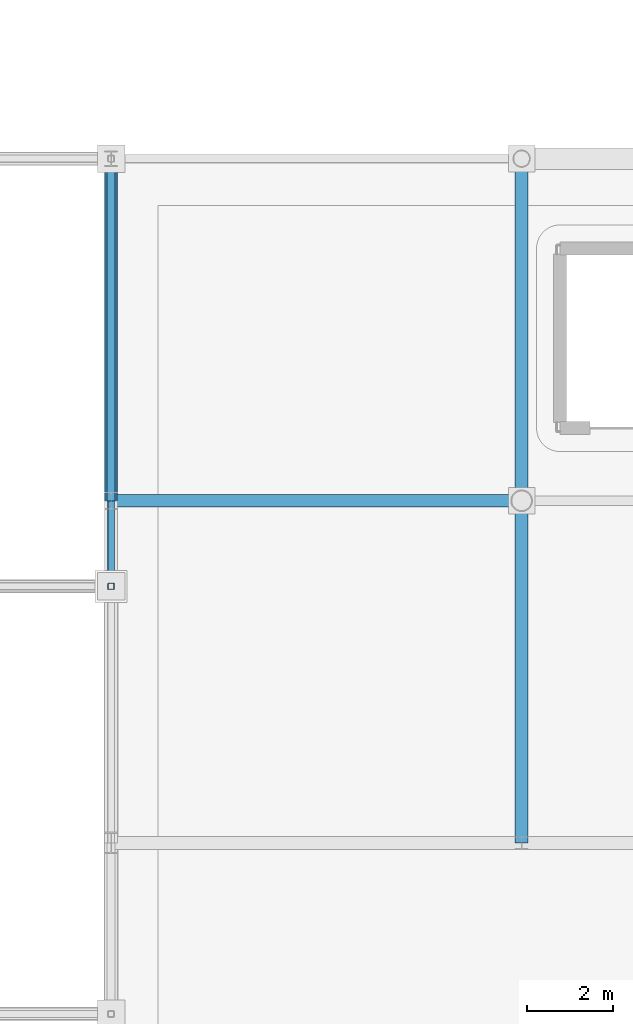
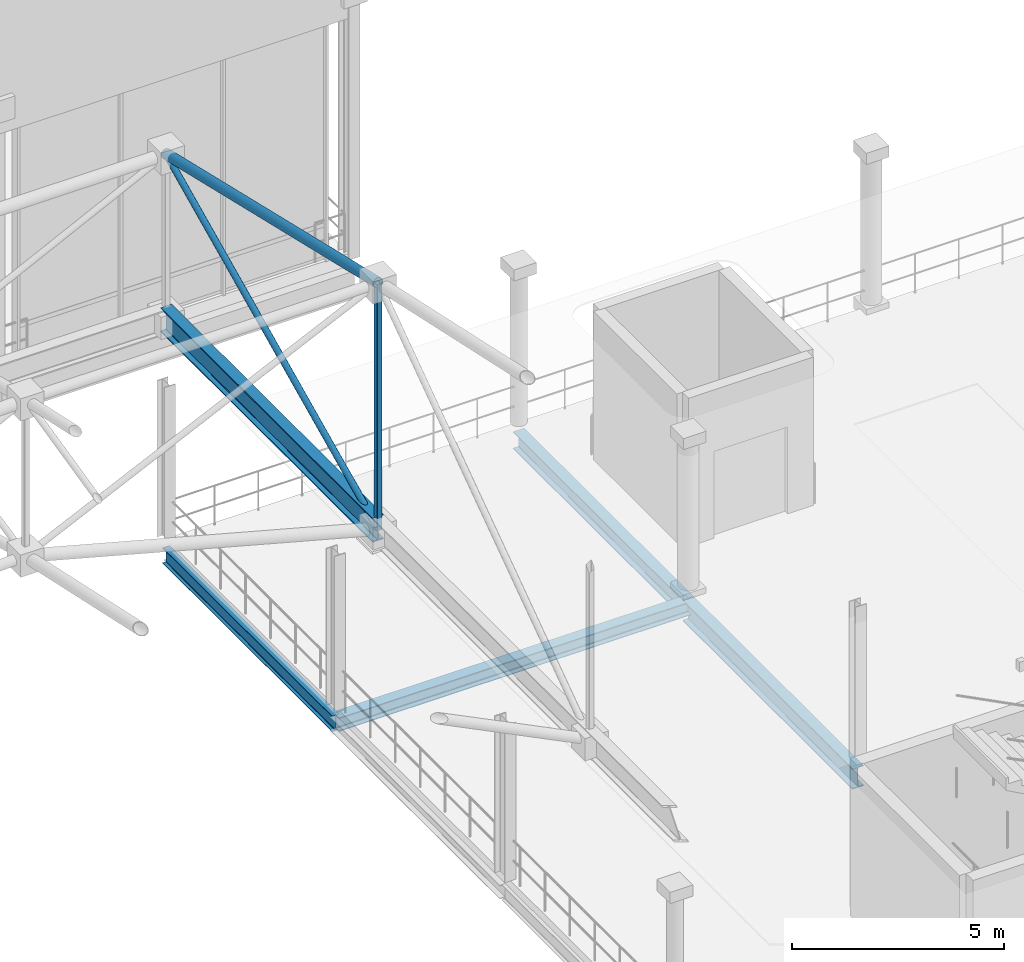
# One storey, part 113 of 193: 5 beams, 3 members.
"""IFC4 building model written with IfcOpenShell, lengths in metres."""

from ifc_helpers import new_model, si_unit, direction, frame, origin, origin_2d, place, context, subcontext, project, spatial, hollow_rectangle, hollow_circle, i_section, extrude, material, material_profile, profile_set, type_object, element, save


model = new_model("IFC4")

# Units and contexts
model_context = context("Model", 3, precision=1e-05, world=origin(), true_north=direction((0.0, 1.0)))
body_context = subcontext(model_context, "Body", "Model", "MODEL_VIEW")
ifc_project = project(units=[si_unit("LENGTHUNIT", "METRE"), si_unit("AREAUNIT", "SQUARE_METRE"), si_unit("VOLUMEUNIT", "CUBIC_METRE"), si_unit("PLANEANGLEUNIT", "RADIAN"), si_unit("MASSUNIT", "GRAM", prefix="KILO")], contexts=[model_context])

# Site, building, storey
site_placement = place(None, origin())
site = spatial("IfcSite", under=ifc_project, at=site_placement, CompositionType="ELEMENT")
building_placement = place(site_placement, origin())
building = spatial("IfcBuilding", under=site, at=building_placement, Name="Danafjord Basin Convention Centre", CompositionType="ELEMENT")
storey_placement = place(building_placement, frame((0.0, 0.0, 11.39990234375)))
storey = spatial("IfcBuildingStorey", under=building, at=storey_placement, Name="L02", CompositionType="ELEMENT", Elevation=11.39990234375)

# Beams
ifc_material = material(Name="Steel S355", Category="steel")
ifc_material_profile_1 = material_profile(ifc_material, i_section(OverallWidth=0.300048828125, OverallDepth=0.389892578125, WebThickness=0.010986328125, FlangeThickness=0.01904296875, FilletRadius=0.027099609375, at=origin_2d()), Name="HEA 400")
ifc_profile_set_1 = profile_set([ifc_material_profile_1], Name="Steel S355")
beam_type_1 = type_object("IfcBeamType", Name="BEAM-BM-HEA400", PredefinedType="BEAM", material=ifc_profile_set_1)
beam_1_placement = place(storey_placement, frame((192.0, 72.0, -0.4248046875), z_axis=(1.0, 0.0, 0.0), x_axis=(0.0, 1.0, 0.0)))
element("IfcBeam", 1, at=beam_1_placement, inside=storey, type_object=beam_type_1, Name="L02 girder BM-HEA400", PredefinedType="BEAM", context=body_context, shape_type="SweptSolid", body=[
    extrude(i_section(OverallWidth=0.300048828125, OverallDepth=0.389892578125, WebThickness=0.010986328125, FlangeThickness=0.01904296875, FilletRadius=0.027099609375, at=origin_2d()), origin(), (0.0, 0.0, 1.0), 9.60009765625),
])
ifc_material_profile_2 = material_profile(ifc_material, i_section(OverallWidth=0.300048828125, OverallDepth=0.5, WebThickness=0.014404296875, FlangeThickness=0.028076171875, FilletRadius=0.027099609375, at=origin_2d()), Name="HEB 500")
ifc_profile_set_2 = profile_set([ifc_material_profile_2], Name="Steel S355")
beam_type_2 = type_object("IfcBeamType", Name="BEAM-BM-HEB500", PredefinedType="BEAM", material=ifc_profile_set_2)
beam_2_placement = place(storey_placement, frame((201.60009765625, 72.0, -0.47998046875), z_axis=(0.0, 1.0, 0.0), x_axis=(-1.0, 0.0, 0.0)))
element("IfcBeam", 2, at=beam_2_placement, inside=storey, type_object=beam_type_2, Name="L02 transverse girder BM-HEB500", PredefinedType="BEAM", context=body_context, shape_type="SweptSolid", body=[
    extrude(i_section(OverallWidth=0.300048828125, OverallDepth=0.5, WebThickness=0.014404296875, FlangeThickness=0.028076171875, FilletRadius=0.027099609375, at=origin_2d()), origin(), (0.0, 0.0, 1.0), 8.0),
])
ifc_material_profile_3 = material_profile(ifc_material, i_section(OverallWidth=0.300048828125, OverallDepth=0.60009765625, WebThickness=0.015380859375, FlangeThickness=0.030029296875, FilletRadius=0.027099609375, at=origin_2d()), Name="HEB 600")
ifc_profile_set_3 = profile_set([ifc_material_profile_3], Name="Steel S355")
beam_type_3 = type_object("IfcBeamType", Name="BEAM-BM-HEB600", PredefinedType="BEAM", material=ifc_profile_set_3)
beam_3_placement = place(storey_placement, frame((201.60009765625, 64.0, -0.52978515625), z_axis=(0.0, 1.0, 0.0), x_axis=(-1.0, 0.0, 0.0)))
element("IfcBeam", 3, at=beam_3_placement, inside=storey, type_object=beam_type_3, Name="L02 transverse girder BM-HEB600", PredefinedType="BEAM", context=body_context, shape_type="SweptSolid", body=[
    extrude(i_section(OverallWidth=0.300048828125, OverallDepth=0.60009765625, WebThickness=0.015380859375, FlangeThickness=0.030029296875, FilletRadius=0.027099609375, at=origin_2d()), origin(), (0.0, 0.0, 1.0), 8.0),
])
ifc_material_profile_4 = material_profile(ifc_material, i_section(OverallWidth=0.300048828125, OverallDepth=0.699951171875, WebThickness=0.01708984375, FlangeThickness=0.031982421875, FilletRadius=0.027099609375, at=origin_2d()), Name="HEB 700")
ifc_profile_set_4 = profile_set([ifc_material_profile_4], Name="Steel S355")
beam_type_4 = type_object("IfcBeamType", Name="BEAM-BM-HEB700", PredefinedType="BEAM", material=ifc_profile_set_4)
beam_4_placement = place(storey_placement, frame((192.0, 70.0, 6.35009765625), z_axis=(0.0, 1.0, 0.0), x_axis=(-1.0, 0.0, 0.0)))
element("IfcBeam", 4, at=beam_4_placement, inside=storey, type_object=beam_type_4, Name="V3 space-frame perimeter ring girder", PredefinedType="BEAM", context=body_context, shape_type="SweptSolid", body=[
    extrude(i_section(OverallWidth=0.300048828125, OverallDepth=0.699951171875, WebThickness=0.01708984375, FlangeThickness=0.031982421875, FilletRadius=0.027099609375, at=origin_2d()), origin(), (0.0, 0.0, 1.0), 10.0),
])
ifc_material_profile_5 = material_profile(ifc_material, i_section(OverallWidth=0.18994140625, OverallDepth=0.449951171875, WebThickness=0.009521484375, FlangeThickness=0.0146484375, FilletRadius=0.02099609375, at=origin_2d()), Name="IPE 450")
ifc_profile_set_5 = profile_set([ifc_material_profile_5], Name="Steel S355")
beam_type_5 = type_object("IfcBeamType", Name="BEAM-SP-IPE450", PredefinedType="SPANDREL", material=ifc_profile_set_5)
beam_5_placement = place(storey_placement, frame((192.0, 72.0, -0.454833984375), z_axis=(0.0, 1.0, 0.0), x_axis=(-1.0, 0.0, 0.0)))
element("IfcBeam", 5, at=beam_5_placement, inside=storey, type_object=beam_type_5, Name="L02 transverse girder SP-IPE450", PredefinedType="SPANDREL", context=body_context, shape_type="SweptSolid", body=[
    extrude(i_section(OverallWidth=0.18994140625, OverallDepth=0.449951171875, WebThickness=0.009521484375, FlangeThickness=0.0146484375, FilletRadius=0.02099609375, at=origin_2d()), origin(), (0.0, 0.0, 1.0), 8.0),
])

# Members
ifc_material_profile_6 = material_profile(ifc_material, hollow_circle(Radius=0.136474609375, WallThickness=0.012451171875, at=origin_2d()), Name="CHS 273.0x12.5")
ifc_profile_set_6 = profile_set([ifc_material_profile_6], Name="Steel S355")
member_type_1 = type_object("IfcMemberType", Name="MEM-CH-CHS273", PredefinedType="CHORD", material=ifc_profile_set_6)
member_1_placement = place(storey_placement, frame((192.0, 70.0, 13.427978515625), z_axis=(0.0, 0.97342059664, -0.229024762935), x_axis=(-1.0, 0.0, 0.0)))
element("IfcMember", 6, at=member_1_placement, inside=storey, type_object=member_type_1, Name="V3 roof truss transverse top chord", PredefinedType="CHORD", context=body_context, shape_type="SweptSolid", body=[
    extrude(hollow_circle(Radius=0.136474609375, WallThickness=0.012451171875, at=origin_2d()), origin(), (0.0, 0.0, 1.0), 10.27294921875),
])
ifc_material_profile_7 = material_profile(ifc_material, hollow_rectangle(XDim=0.14990234375, YDim=0.14990234375, WallThickness=0.008056640625, InnerFilletRadius=0.011962890625, OuterFilletRadius=0.02001953125, at=origin_2d()), Name="SHS 150x150x8.0")
ifc_profile_set_7 = profile_set([ifc_material_profile_7], Name="Steel S355")
member_type_2 = type_object("IfcMemberType", Name="MEM-ST-SHS150", PredefinedType="STRUT", material=ifc_profile_set_7)
member_2_placement = place(storey_placement, frame((192.0, 70.0, 6.35009765625), z_axis=(0.0, 0.0, 1.0), x_axis=(1.0, 0.0, 0.0)))
element("IfcMember", 7, at=member_2_placement, inside=storey, type_object=member_type_2, Name="V3 roof truss vertical strut", PredefinedType="STRUT", context=body_context, shape_type="SweptSolid", body=[
    extrude(hollow_rectangle(XDim=0.14990234375, YDim=0.14990234375, WallThickness=0.008056640625, InnerFilletRadius=0.011962890625, OuterFilletRadius=0.02001953125, at=origin_2d()), origin(), (0.0, 0.0, 1.0), 7.077880859375),
])
ifc_material_profile_8 = material_profile(ifc_material, hollow_circle(Radius=0.084228515625, WallThickness=0.008056640625, at=origin_2d()), Name="CHS 168.3x8.0")
ifc_profile_set_8 = profile_set([ifc_material_profile_8], Name="Steel S355")
member_type_3 = type_object("IfcMemberType", Name="MEM-WB-CHS168", PredefinedType="MEMBER", material=ifc_profile_set_8)
member_3_placement = place(storey_placement, frame((192.0, 70.0, 6.35009765625), z_axis=(0.0, 0.904148237595, 0.427218871836), x_axis=(-1.0, 0.0, 0.0)))
element("IfcMember", 8, at=member_3_placement, inside=storey, type_object=member_type_3, Name="V3 space-frame transverse web", PredefinedType="MEMBER", context=body_context, shape_type="SweptSolid", body=[
    extrude(hollow_circle(Radius=0.084228515625, WallThickness=0.008056640625, at=origin_2d()), origin(), (0.0, 0.0, 1.0), 11.06005859375),
])

save(model, "model.ifc")
